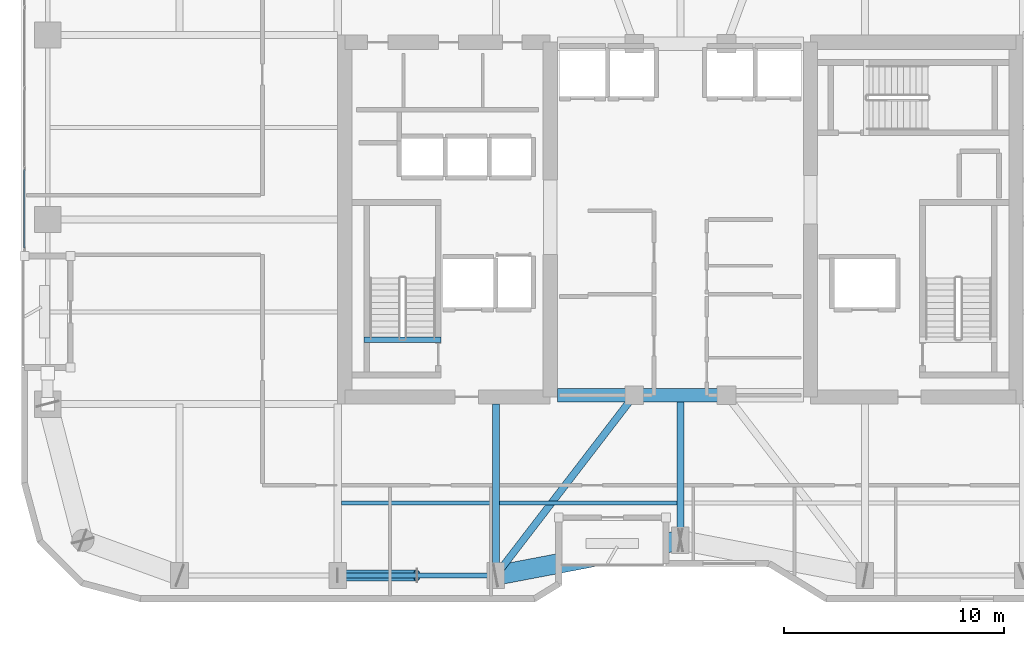
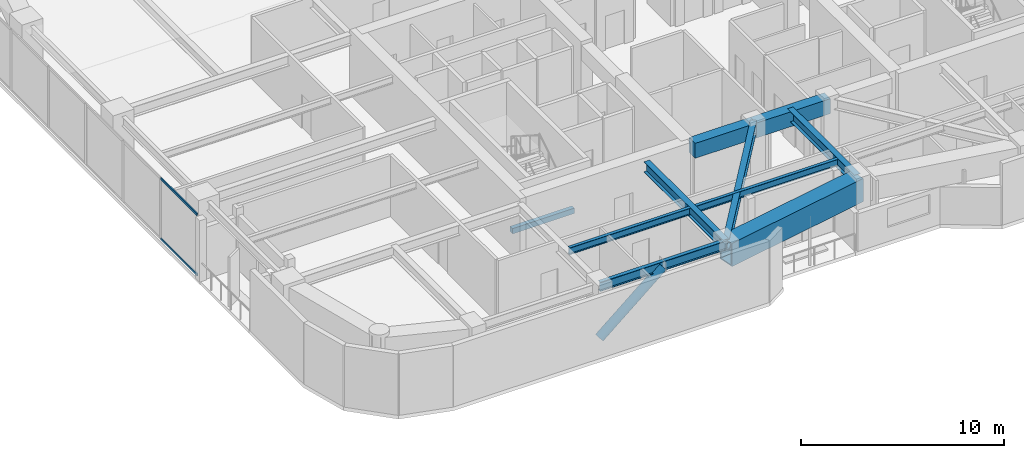
# One storey, part 3 of 30: 10 beams, 3 members, 1 element without a shape of its own.
"""IFC4 building model written with IfcOpenShell, lengths in metres."""

from ifc_helpers import new_model, si_unit, direction, frame, origin, origin_2d, place, context, subcontext, project, spatial, rectangle, hollow_rectangle, hollow_circle, i_section, extrude, material, layer, layer_set, material_profile, profile_set, type_object, element, aggregate, save


model = new_model("IFC4")

# Units and contexts
model_context = context("Model", 3, precision=1e-05, world=origin(), true_north=direction((0.0, 1.0)))
body_context = subcontext(model_context, "Body", "Model", "MODEL_VIEW")
ifc_project = project(units=[si_unit("LENGTHUNIT", "METRE"), si_unit("AREAUNIT", "SQUARE_METRE"), si_unit("VOLUMEUNIT", "CUBIC_METRE"), si_unit("PLANEANGLEUNIT", "RADIAN"), si_unit("MASSUNIT", "GRAM", prefix="KILO")], contexts=[model_context])

# Site, building, storey
site_placement = place(None, origin())
site = spatial("IfcSite", under=ifc_project, at=site_placement, CompositionType="ELEMENT")
building_placement = place(site_placement, origin())
building = spatial("IfcBuilding", under=site, at=building_placement, Name="Kiyonajd Concourse Tower", CompositionType="ELEMENT")
storey_placement = place(building_placement, frame((0.0, 0.0, 201.89990234375)))
storey = spatial("IfcBuildingStorey", under=building, at=storey_placement, Name="L51", CompositionType="ELEMENT", Elevation=201.89990234375)

# Beams
ifc_material_1 = material(Name="Concrete C60/75", Category="concrete")
ifc_material_profile_1 = material_profile(ifc_material_1, rectangle(XDim=0.60009765625, YDim=0.89990234375, at=origin_2d()), Name="RCBM-600x900")
ifc_profile_set_1 = profile_set([ifc_material_profile_1], Name="Concrete C60/75")
beam_type_1 = type_object("IfcBeamType", Name="BM-COUP-900", PredefinedType="LINTEL", material=ifc_profile_set_1)
beam_1_placement = place(storey_placement, frame((42.39990234375, 28.0, 3.22998046875), z_axis=(1.0, 0.0, 0.0), x_axis=(0.0, 1.0, 0.0)))
element("IfcBeam", 1, at=beam_1_placement, inside=storey, type_object=beam_type_1, Name="L51 Core Coupling Beam S1", PredefinedType="LINTEL", context=body_context, shape_type="SweptSolid", body=[
    extrude(rectangle(XDim=0.60009765625, YDim=0.89990234375, at=origin_2d()), origin(), (0.0, 0.0, 1.0), 3.5),
])
beam_2_placement = place(storey_placement, frame((45.89990234375, 28.0, 3.22998046875), z_axis=(1.0, 0.0, 0.0), x_axis=(0.0, 1.0, 0.0)))
element("IfcBeam", 2, at=beam_2_placement, inside=storey, type_object=beam_type_1, Name="L51 Core Coupling Beam S2", PredefinedType="LINTEL", context=body_context, shape_type="SweptSolid", body=[
    extrude(rectangle(XDim=0.60009765625, YDim=0.89990234375, at=origin_2d()), origin(), (0.0, 0.0, 1.0), 4.2001953125),
])
ifc_material_2 = material(Name="Steel ASTM A992 Grade 50", Category="steel")
ifc_material_profile_2 = material_profile(ifc_material_2, i_section(OverallWidth=0.180908203125, OverallDepth=0.4169921875, WebThickness=0.010986328125, FlangeThickness=0.018310546875, at=origin_2d()), Name="W410X85")
ifc_profile_set_2 = profile_set([ifc_material_profile_2], Name="Steel ASTM A992 Grade 50")
beam_type_2 = type_object("IfcBeamType", Name="BM-JST-410", PredefinedType="JOIST", material=ifc_profile_set_2)
beam_3_placement = place(storey_placement, frame((32.5634765625, 23.10009765625, 3.4716796875), z_axis=(1.0, 0.0, 0.0), x_axis=(0.0, 1.0, 0.0)))
element("IfcBeam", 3, at=beam_3_placement, inside=storey, type_object=beam_type_2, Name="L51 Secondary Floor Joist", PredefinedType="JOIST", context=body_context, shape_type="SweptSolid", body=[
    extrude(i_section(OverallWidth=0.180908203125, OverallDepth=0.4169921875, WebThickness=0.010986328125, FlangeThickness=0.018310546875, at=origin_2d()), origin(), (0.0, 0.0, 1.0), 6.873046875),
])
beam_4_placement = place(storey_placement, frame((39.763427734375, 23.10009765625, 3.4716796875), z_axis=(1.0, 0.0, 0.0), x_axis=(0.0, 1.0, 0.0)))
element("IfcBeam", 4, at=beam_4_placement, inside=storey, type_object=beam_type_2, Name="L51 Secondary Floor Joist", PredefinedType="JOIST", context=body_context, shape_type="SweptSolid", body=[
    extrude(i_section(OverallWidth=0.180908203125, OverallDepth=0.4169921875, WebThickness=0.010986328125, FlangeThickness=0.018310546875, at=origin_2d()), origin(), (0.0, 0.0, 1.0), 8.072998046875),
])
ifc_material_3 = material(Name="Concrete C50/60", Category="concrete")
ifc_material_profile_3 = material_profile(ifc_material_3, rectangle(XDim=0.239990234375, YDim=0.320068359375, at=origin_2d()), Name="RCBM-240x320")
ifc_profile_set_3 = profile_set([ifc_material_profile_3], Name="Concrete C50/60")
beam_type_3 = type_object("IfcBeamType", Name="BM-LNT-250", PredefinedType="LINTEL", material=ifc_profile_set_3)
beam_5_placement = place(storey_placement, frame((33.590087890625, 30.530029296875, -0.159912109375), z_axis=(1.0, 0.0, 0.0), x_axis=(0.0, 1.0, 0.0)))
element("IfcBeam", 5, at=beam_5_placement, inside=storey, type_object=beam_type_3, Name="L51 Stair ST1 Threshold Support Beam", PredefinedType="LINTEL", context=body_context, shape_type="SweptSolid", body=[
    extrude(rectangle(XDim=0.239990234375, YDim=0.320068359375, at=origin_2d()), origin(), (0.0, 0.0, 1.0), 3.52001953125),
])
ifc_material_profile_4 = material_profile(ifc_material_2, i_section(OverallWidth=0.214111328125, OverallDepth=0.549072265625, WebThickness=0.0146484375, FlangeThickness=0.023681640625, at=origin_2d()), Name="W530X138")
ifc_profile_set_4 = profile_set([ifc_material_profile_4], Name="Steel ASTM A992 Grade 50")
beam_type_4 = type_object("IfcBeamType", Name="BM-SPAN-530A", PredefinedType="SPANDREL", material=ifc_profile_set_4)
beam_6_placement = place(storey_placement, frame((32.39990234375, 19.800048828125, 3.405517578125), z_axis=(1.0, 0.0, 0.0), x_axis=(0.0, 1.0, 0.0)))
element("IfcBeam", 6, at=beam_6_placement, inside=storey, type_object=beam_type_4, Name="L51 Perimeter Bundled Tube Spandrel", PredefinedType="SPANDREL", context=body_context, shape_type="SweptSolid", body=[
    extrude(i_section(OverallWidth=0.214111328125, OverallDepth=0.549072265625, WebThickness=0.0146484375, FlangeThickness=0.023681640625, at=origin_2d()), origin(), (0.0, 0.0, 1.0), 7.2001953125),
])
ifc_material_profile_5 = material_profile(ifc_material_2, i_section(OverallWidth=0.326904296875, OverallDepth=0.6220703125, WebThickness=0.015380859375, FlangeThickness=0.0244140625, at=origin_2d()), Name="W610X195")
ifc_profile_set_5 = profile_set([ifc_material_profile_5], Name="Steel ASTM A992 Grade 50")
beam_type_5 = type_object("IfcBeamType", Name="BM-TWR-610A", PredefinedType="BEAM", material=ifc_profile_set_5)
beam_7_placement = place(storey_placement, frame((39.60009765625, 19.800048828125, 3.369140625), z_axis=(0.609233709922, 0.792990722956, 0.0), x_axis=(-0.792990722956, 0.609233709922, 0.0)))
element("IfcBeam", 7, at=beam_7_placement, inside=storey, type_object=beam_type_5, Name="L51 Core Tie Girder", PredefinedType="BEAM", context=body_context, shape_type="SweptSolid", body=[
    extrude(i_section(OverallWidth=0.326904296875, OverallDepth=0.6220703125, WebThickness=0.015380859375, FlangeThickness=0.0244140625, at=origin_2d()), origin(), (0.0, 0.0, 1.0), 10.340576171875),
])
beam_8_placement = place(storey_placement, frame((39.60009765625, 19.800048828125, 3.369140625), z_axis=(0.0, 1.0, 0.0), x_axis=(-1.0, 0.0, 0.0)))
element("IfcBeam", 8, at=beam_8_placement, inside=storey, type_object=beam_type_5, Name="L51 South Lease Girder", PredefinedType="BEAM", context=body_context, shape_type="SweptSolid", body=[
    extrude(i_section(OverallWidth=0.326904296875, OverallDepth=0.6220703125, WebThickness=0.015380859375, FlangeThickness=0.0244140625, at=origin_2d()), origin(), (0.0, 0.0, 1.0), 7.800048828125),
])
beam_9_placement = place(storey_placement, frame((48.0, 21.39990234375, 3.369140625), z_axis=(0.0, 1.0, 0.0), x_axis=(-1.0, 0.0, 0.0)))
element("IfcBeam", 9, at=beam_9_placement, inside=storey, type_object=beam_type_5, Name="L51 South Ribbon Girder", PredefinedType="BEAM", context=body_context, shape_type="SweptSolid", body=[
    extrude(i_section(OverallWidth=0.326904296875, OverallDepth=0.6220703125, WebThickness=0.015380859375, FlangeThickness=0.0244140625, at=origin_2d()), origin(), (0.0, 0.0, 1.0), 6.60009765625),
])
ifc_material_4 = material(Name="Steel ASTM A572 Grade 50", Category="steel")
ifc_material_profile_6 = material_profile(ifc_material_4, hollow_rectangle(XDim=0.89990234375, YDim=1.39990234375, WallThickness=0.070068359375, at=origin_2d()), Name="BOX-1400x900x70")
ifc_profile_set_6 = profile_set([ifc_material_profile_6], Name="Steel ASTM A572 Grade 50")
beam_type_6 = type_object("IfcBeamType", Name="BM-XFER-1400", PredefinedType="BEAM", material=ifc_profile_set_6)
beam_10_placement = place(storey_placement, frame((39.60009765625, 19.800048828125, 2.97998046875), z_axis=(0.982341315253, 0.187097675953, 0.0), x_axis=(-0.187097675953, 0.982341315253, 0.0)))
element("IfcBeam", 10, at=beam_10_placement, inside=storey, type_object=beam_type_6, Name="L51 Perimeter Bundled Tube Spandrel", PredefinedType="BEAM", context=body_context, shape_type="SweptSolid", body=[
    extrude(hollow_rectangle(XDim=0.89990234375, YDim=1.39990234375, WallThickness=0.070068359375, at=origin_2d()), origin(), (0.0, 0.0, 1.0), 8.55078125),
])

# Curtain wall, members
ifc_material_5 = material(Name="Thermally Broken Anodised Aluminium", Category="aluminium")
ifc_layer = layer(ifc_material_5, 0.179931640625)
ifc_layer_set = layer_set([ifc_layer], Name="Thermally Broken Anodised Aluminium")
curtain_wall_type = type_object("IfcCurtainWallType", Name="CW-SYS-03", PredefinedType="NOTDEFINED", material=ifc_layer_set)
curtain_wall_placement = place(storey_placement, origin())
curtain_wall = element("IfcCurtainWall", 11, at=curtain_wall_placement, inside=storey, type_object=curtain_wall_type, Name="L51 Unitised Curtain Wall CW3", PredefinedType="NOTDEFINED")
ifc_material_profile_7 = material_profile(ifc_material_5, hollow_rectangle(XDim=0.06494140625, YDim=0.139892578125, WallThickness=0.00390625, at=origin_2d()), Name="TRAN-65x140")
ifc_profile_set_7 = profile_set([ifc_material_profile_7], Name="Thermally Broken Anodised Aluminium")
member_type_1 = type_object("IfcMemberType", Name="MB-CW-TRAN1", PredefinedType="USERDEFINED", material=ifc_profile_set_7)
member_1_placement = place(storey_placement, frame((18.139892578125, 34.695068359375, 0.03271484375), z_axis=(0.0, 1.0, 0.0), x_axis=(-1.0, 0.0, 0.0)))
member_1 = element("IfcMember", 12, at=member_1_placement, type_object=member_type_1, Name="CW3 transom 1.1", ObjectType="TRANSOM", PredefinedType="USERDEFINED", context=body_context, shape_type="SweptSolid", body=[
    extrude(hollow_rectangle(XDim=0.06494140625, YDim=0.139892578125, WallThickness=0.00390625, at=origin_2d()), origin(), (0.0, 0.0, 1.0), 3.579345703125),
])
member_2_placement = place(storey_placement, frame((18.139892578125, 34.695068359375, 3.647705078125), z_axis=(0.0, 1.0, 0.0), x_axis=(-1.0, 0.0, 0.0)))
member_2 = element("IfcMember", 13, at=member_2_placement, type_object=member_type_1, Name="CW3 transom 1.2", ObjectType="TRANSOM", PredefinedType="USERDEFINED", context=body_context, shape_type="SweptSolid", body=[
    extrude(hollow_rectangle(XDim=0.06494140625, YDim=0.139892578125, WallThickness=0.00390625, at=origin_2d()), origin(), (0.0, 0.0, 1.0), 3.579345703125),
])
aggregate(curtain_wall, [member_1, member_2])

# Member
ifc_material_6 = material(Name="Steel ASTM A500 Grade C", Category="steel")
ifc_material_profile_8 = material_profile(ifc_material_6, hollow_circle(Radius=0.25390625, WallThickness=0.02197265625, at=origin_2d()), Name="CHS-508x22")
ifc_profile_set_8 = profile_set([ifc_material_profile_8], Name="Steel ASTM A500 Grade C")
member_type_2 = type_object("IfcMemberType", Name="MB-PB-MID", PredefinedType="BRACE", material=ifc_profile_set_8)
member_3_placement = place(storey_placement, frame((32.39990234375, 19.800048828125, 0.300048828125), z_axis=(0.765082043761, 0.0, 0.643932811957), x_axis=(0.0, 1.0, 0.0)))
element("IfcMember", 14, at=member_3_placement, inside=storey, type_object=member_type_2, Name="L51 Upper Zone Hollow Tube Brace PBS", PredefinedType="BRACE", context=body_context, shape_type="SweptSolid", body=[
    extrude(hollow_circle(Radius=0.25390625, WallThickness=0.02197265625, at=origin_2d()), origin(), (0.0, 0.0, 1.0), 4.70556640625),
])

save(model, "model.ifc")
